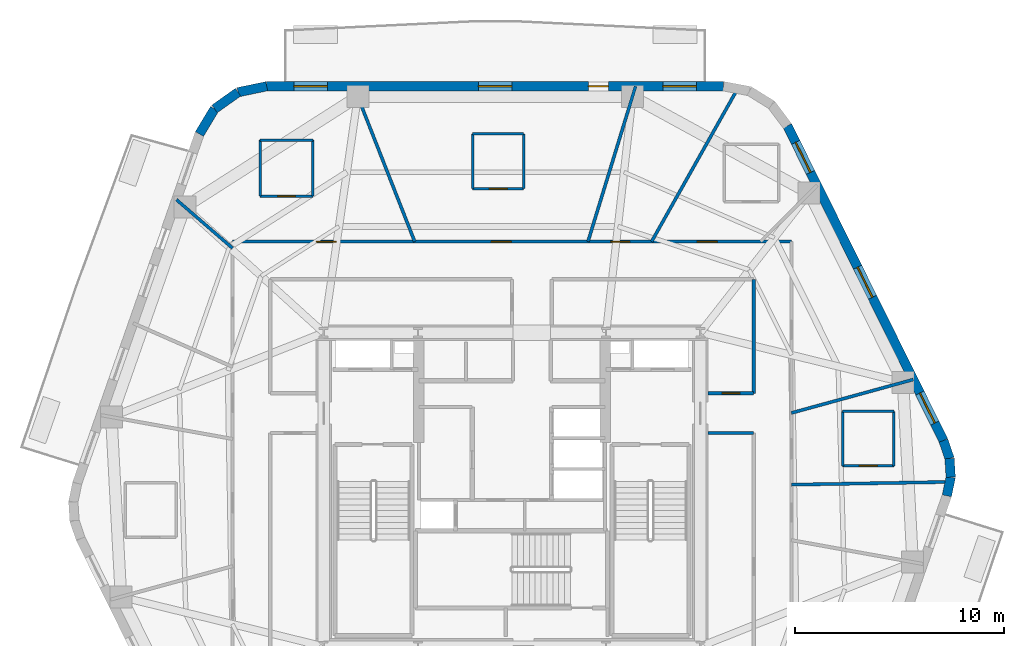
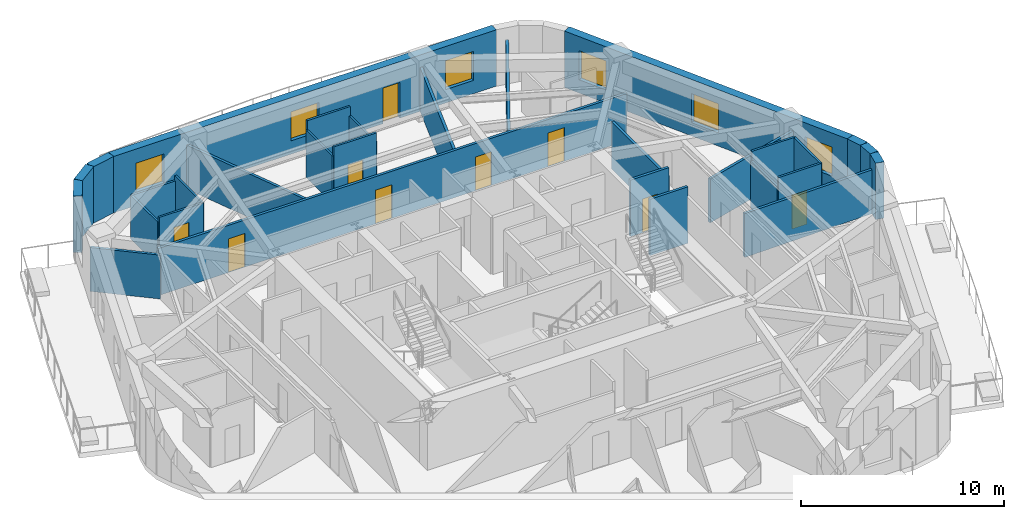
# One storey, part 6 of 11: 30 walls, 9 doors, 6 windows, 15 openings.
"""IFC4 building model written with IfcOpenShell, lengths in metres."""

from ifc_helpers import new_model, si_unit, direction, frame, frame_2d, origin, place, context, subcontext, project, spatial, rectangle, extrude, material, layer, layer_set, type_object, element, fill, save


model = new_model("IFC4")

# Units and contexts
model_context = context("Model", 3, precision=1e-05, world=origin(), true_north=direction((0.0, 1.0)))
body_context = subcontext(model_context, "Body", "Model", "MODEL_VIEW")
ifc_project = project(units=[si_unit("LENGTHUNIT", "METRE"), si_unit("AREAUNIT", "SQUARE_METRE"), si_unit("VOLUMEUNIT", "CUBIC_METRE"), si_unit("PLANEANGLEUNIT", "RADIAN"), si_unit("MASSUNIT", "GRAM", prefix="KILO")], contexts=[model_context])

# Site, building, storey
site_placement = place(None, origin())
site = spatial("IfcSite", under=ifc_project, at=site_placement, CompositionType="ELEMENT")
building_placement = place(site_placement, origin())
building = spatial("IfcBuilding", under=site, at=building_placement, Name="Kilnhurst Terrace Hotel", CompositionType="ELEMENT")
storey_placement = place(building_placement, frame((0.0, 0.0, 194.10009765625)))
storey = spatial("IfcBuildingStorey", under=building, at=storey_placement, Name="L48", CompositionType="ELEMENT", Elevation=194.10009765625)

# Walls
ifc_material_1 = material(Name="Precast concrete C40/50", Category="concrete")
ifc_layer_1 = layer(ifc_material_1, 0.449951171875, Name="Precast concrete C40/50")
ifc_layer_set_1 = layer_set([ifc_layer_1], Name="Precast concrete C40/50")
wall_type_1 = type_object("IfcWallType", Name="WL-BRK-450", PredefinedType="SOLIDWALL", material=ifc_layer_set_1)
wall_1_placement = place(storey_placement, frame((20.78173828125, -0.298095703125, 0.0), z_axis=(0.0, 0.0, 1.0), x_axis=(0.202570068411, 0.979267771033, 0.0)))
element("IfcWall", 1, at=wall_1_placement, inside=storey, type_object=wall_type_1, Name="L48 Rounded Corner Brick Wall C3.1", PredefinedType="SOLIDWALL", context=body_context, shape_type="SweptSolid", body=[
    extrude(rectangle(XDim=0.90869140625, YDim=0.449951171875, at=frame_2d((0.454345703125, 0.0))), origin(), (0.0, 0.0, 1.0), 3.39990234375),
])
wall_2_placement = place(storey_placement, frame((20.9658203125, 0.591796875, 0.0), z_axis=(0.0, 0.0, 1.0), x_axis=(-0.061748898935, 0.998091715966, 0.0)))
element("IfcWall", 2, at=wall_2_placement, inside=storey, type_object=wall_type_1, Name="L48 Rounded Corner Brick Wall C3.2", PredefinedType="SOLIDWALL", context=body_context, shape_type="SweptSolid", body=[
    extrude(rectangle(XDim=0.8935546875, YDim=0.449951171875, at=frame_2d((0.44677734375, 0.0))), origin(), (0.0, 0.0, 1.0), 3.39990234375),
])
wall_3_placement = place(storey_placement, frame((20.91064453125, 1.483642578125, 0.0), z_axis=(0.0, 0.0, 1.0), x_axis=(-0.321623334353, 0.946867694453, 0.0)))
element("IfcWall", 3, at=wall_3_placement, inside=storey, type_object=wall_type_1, Name="L48 Rounded Corner Brick Wall C3.3", PredefinedType="SOLIDWALL", context=body_context, shape_type="SweptSolid", body=[
    extrude(rectangle(XDim=0.90869140625, YDim=0.449951171875, at=frame_2d((0.454345703125, 0.0))), origin(), (0.0, 0.0, 1.0), 3.39990234375),
])
wall_4_placement = place(storey_placement, frame((-11.720458984375, 19.27490234375, 0.0), z_axis=(0.0, 0.0, 1.0), x_axis=(-0.97893106758, -0.204191001093, 0.0)))
element("IfcWall", 4, at=wall_4_placement, inside=storey, type_object=wall_type_1, Name="L48 Rounded Corner Brick Wall C5.1", PredefinedType="SOLIDWALL", context=body_context, shape_type="SweptSolid", body=[
    extrude(rectangle(XDim=1.400146484375, YDim=0.449951171875, at=frame_2d((0.7001953125, 0.0))), origin(), (0.0, 0.0, 1.0), 3.39990234375),
])
wall_5_placement = place(storey_placement, frame((-13.091064453125, 18.989013671875, 0.0), z_axis=(0.0, 0.0, 1.0), x_axis=(-0.815574637848, -0.578651890258, 0.0)))
element("IfcWall", 5, at=wall_5_placement, inside=storey, type_object=wall_type_1, Name="L48 Rounded Corner Brick Wall C5.2", PredefinedType="SOLIDWALL", context=body_context, shape_type="SweptSolid", body=[
    extrude(rectangle(XDim=1.376708984375, YDim=0.449951171875, at=frame_2d((0.6884765625, 0.0))), origin(), (0.0, 0.0, 1.0), 3.39990234375),
])
wall_6_placement = place(storey_placement, frame((-14.2138671875, 18.1923828125, 0.0), z_axis=(0.0, 0.0, 1.0), x_axis=(-0.516340945502, -0.856383108193, 0.0)))
element("IfcWall", 6, at=wall_6_placement, inside=storey, type_object=wall_type_1, Name="L48 Rounded Corner Brick Wall C5.3", PredefinedType="SOLIDWALL", context=body_context, shape_type="SweptSolid", body=[
    extrude(rectangle(XDim=1.400146484375, YDim=0.449951171875, at=frame_2d((0.7001953125, 0.0))), origin(), (0.0, 0.0, 1.0), 3.39990234375),
])

# Wall, openings, windows
wall_7_placement = place(storey_placement, frame((20.618408203125, 2.343994140625, 0.0), z_axis=(0.0, 0.0, 1.0), x_axis=(-0.444243691097, 0.895905990002, 0.0)))
wall_7 = element("IfcWall", 7, at=wall_7_placement, inside=storey, type_object=wall_type_1, Name="L48 Exterior Brick Facade Wall F3", PredefinedType="SOLIDWALL", context=body_context, shape_type="SweptSolid", body=[
    extrude(rectangle(XDim=16.78369140625, YDim=0.449951171875, at=frame_2d((8.391845703125, 0.0))), origin(), (0.0, 0.0, 1.0), 3.39990234375),
])
opening_1_placement = place(wall_7_placement, frame((0.930908203125, 0.0, 0.800048828125)))
opening_1 = element("IfcOpeningElement", 8, at=opening_1_placement, cuts=wall_7, Name="Opening W-05", PredefinedType="OPENING", context=body_context, shape_type="SweptSolid", body=[
    extrude(rectangle(XDim=1.60009765625, YDim=1.75, at=frame_2d((0.800048828125, 0.875))), frame((0.0, 0.23486328125, 0.0), z_axis=(0.0, -1.0, 0.0), x_axis=(1.0, 0.0, 0.0)), (0.0, 0.0, 1.0), 0.469970703125),
])
opening_2_placement = place(wall_7_placement, frame((7.64208984375, 0.0, 0.800048828125)))
opening_2 = element("IfcOpeningElement", 9, at=opening_2_placement, cuts=wall_7, Name="Opening W-05", PredefinedType="OPENING", context=body_context, shape_type="SweptSolid", body=[
    extrude(rectangle(XDim=1.60009765625, YDim=1.75, at=frame_2d((0.800048828125, 0.875))), frame((0.0, 0.23486328125, 0.0), z_axis=(0.0, -1.0, 0.0), x_axis=(1.0, 0.0, 0.0)), (0.0, 0.0, 1.0), 0.469970703125),
])
opening_3_placement = place(wall_7_placement, frame((14.302978515625, 0.0, 0.800048828125)))
opening_3 = element("IfcOpeningElement", 10, at=opening_3_placement, cuts=wall_7, Name="Opening W-05", PredefinedType="OPENING", context=body_context, shape_type="SweptSolid", body=[
    extrude(rectangle(XDim=1.60009765625, YDim=1.75, at=frame_2d((0.800048828125, 0.875))), frame((0.0, 0.23486328125, 0.0), z_axis=(0.0, -1.0, 0.0), x_axis=(1.0, 0.0, 0.0)), (0.0, 0.0, 1.0), 0.469970703125),
])
ifc_material_2 = material(Name="Thermally Broken Bronze Aluminium Alloy 6063-T6 and Low-E Glass", Category="aluminium")
window_type = type_object("IfcWindowType", Name="WIN-1600X1750", PartitioningType="SINGLE_PANEL", PredefinedType="WINDOW", material=ifc_material_2)
window_1_placement = place(opening_1_placement, origin())
window_1 = element("IfcWindow", 11, at=window_1_placement, inside=storey, type_object=window_type, Name="L48 Deep-Set Masonry Window F3.1", OverallHeight=1.75, OverallWidth=1.60009765625, PartitioningType="SINGLE_PANEL", PredefinedType="WINDOW", context=body_context, shape_type="SweptSolid", body=[
    extrude(rectangle(XDim=1.60009765625, YDim=1.75, at=frame_2d((0.800048828125, 0.875))), frame((0.0, 0.030029296875, 0.0), z_axis=(0.0, -1.0, 0.0), x_axis=(1.0, 0.0, 0.0)), (0.0, 0.0, 1.0), 0.06005859375),
])
fill(opening_1, window_1)
window_2_placement = place(opening_2_placement, origin())
window_2 = element("IfcWindow", 12, at=window_2_placement, inside=storey, type_object=window_type, Name="L48 Deep-Set Masonry Window F3.2", OverallHeight=1.75, OverallWidth=1.60009765625, PartitioningType="SINGLE_PANEL", PredefinedType="WINDOW", context=body_context, shape_type="SweptSolid", body=[
    extrude(rectangle(XDim=1.60009765625, YDim=1.75, at=frame_2d((0.800048828125, 0.875))), frame((0.0, 0.030029296875, 0.0), z_axis=(0.0, -1.0, 0.0), x_axis=(1.0, 0.0, 0.0)), (0.0, 0.0, 1.0), 0.06005859375),
])
fill(opening_2, window_2)
window_3_placement = place(opening_3_placement, origin())
window_3 = element("IfcWindow", 13, at=window_3_placement, inside=storey, type_object=window_type, Name="L48 Deep-Set Masonry Window F3.3", OverallHeight=1.75, OverallWidth=1.60009765625, PartitioningType="SINGLE_PANEL", PredefinedType="WINDOW", context=body_context, shape_type="SweptSolid", body=[
    extrude(rectangle(XDim=1.60009765625, YDim=1.75, at=frame_2d((0.800048828125, 0.875))), frame((0.0, 0.030029296875, 0.0), z_axis=(0.0, -1.0, 0.0), x_axis=(1.0, 0.0, 0.0)), (0.0, 0.0, 1.0), 0.06005859375),
])
fill(opening_3, window_3)

# Wall, openings, door, windows
wall_8_placement = place(storey_placement, frame((10.1083984375, 19.27490234375, 0.0), z_axis=(0.0, 0.0, 1.0), x_axis=(-1.0, 0.0, 0.0)))
wall_8 = element("IfcWall", 14, at=wall_8_placement, inside=storey, type_object=wall_type_1, Name="L48 Exterior Brick Facade Wall F4", PredefinedType="SOLIDWALL", context=body_context, shape_type="SweptSolid", body=[
    extrude(rectangle(XDim=21.828857421875, YDim=0.449951171875, at=frame_2d((10.91455078125, 0.0))), origin(), (0.0, 0.0, 1.0), 3.39990234375),
])
opening_4_placement = place(wall_8_placement, frame((5.5029296875, 0.0, 0.0)))
opening_4 = element("IfcOpeningElement", 15, at=opening_4_placement, cuts=wall_8, Name="Opening BD-950", PredefinedType="OPENING", context=body_context, shape_type="SweptSolid", body=[
    extrude(rectangle(XDim=0.949951171875, YDim=2.14990234375, at=frame_2d((0.47509765625, 1.074951171875))), frame((0.0, 0.23486328125, 0.0), z_axis=(0.0, -1.0, 0.0), x_axis=(1.0, 0.0, 0.0)), (0.0, 0.0, 1.0), 0.469970703125),
])
opening_5_placement = place(wall_8_placement, frame((1.297119140625, 0.0, 0.800048828125)))
opening_5 = element("IfcOpeningElement", 16, at=opening_5_placement, cuts=wall_8, Name="Opening W-05", PredefinedType="OPENING", context=body_context, shape_type="SweptSolid", body=[
    extrude(rectangle(XDim=1.60009765625, YDim=1.75, at=frame_2d((0.800048828125, 0.875))), frame((0.0, 0.23486328125, 0.0), z_axis=(0.0, -1.0, 0.0), x_axis=(1.0, 0.0, 0.0)), (0.0, 0.0, 1.0), 0.469970703125),
])
opening_6_placement = place(wall_8_placement, frame((10.114990234375, 0.0, 0.800048828125)))
opening_6 = element("IfcOpeningElement", 17, at=opening_6_placement, cuts=wall_8, Name="Opening W-05", PredefinedType="OPENING", context=body_context, shape_type="SweptSolid", body=[
    extrude(rectangle(XDim=1.60009765625, YDim=1.75, at=frame_2d((0.800048828125, 0.875))), frame((0.0, 0.23486328125, 0.0), z_axis=(0.0, -1.0, 0.0), x_axis=(1.0, 0.0, 0.0)), (0.0, 0.0, 1.0), 0.469970703125),
])
opening_7_placement = place(wall_8_placement, frame((18.93310546875, 0.0, 0.800048828125)))
opening_7 = element("IfcOpeningElement", 18, at=opening_7_placement, cuts=wall_8, Name="Opening W-05", PredefinedType="OPENING", context=body_context, shape_type="SweptSolid", body=[
    extrude(rectangle(XDim=1.60009765625, YDim=1.75, at=frame_2d((0.800048828125, 0.875))), frame((0.0, 0.23486328125, 0.0), z_axis=(0.0, -1.0, 0.0), x_axis=(1.0, 0.0, 0.0)), (0.0, 0.0, 1.0), 0.469970703125),
])
ifc_material_3 = material(Name="Thermally Broken Bronze Aluminium Alloy 6063-T6 and Laminated Glass", Category="aluminium")
door_type_1 = type_object("IfcDoorType", Name="DR-EXT-BAL-950", OperationType="NOTDEFINED", PredefinedType="DOOR", material=ifc_material_3)
door_1_placement = place(opening_4_placement, origin())
door_1 = element("IfcDoor", 19, at=door_1_placement, inside=storey, type_object=door_type_1, Name="L48 Planted Balcony Door BAL-L2A", OperationType="SINGLE_SWING_RIGHT", OverallHeight=2.14990234375, OverallWidth=0.949951171875, PredefinedType="DOOR", context=body_context, shape_type="SweptSolid", body=[
    extrude(rectangle(XDim=0.949951171875, YDim=2.14990234375, at=frame_2d((0.47509765625, 1.074951171875))), frame((0.0, 0.02490234375, 0.0), z_axis=(0.0, -1.0, 0.0), x_axis=(1.0, 0.0, 0.0)), (0.0, 0.0, 1.0), 0.050048828125),
])
fill(opening_4, door_1)
window_4_placement = place(opening_5_placement, origin())
window_4 = element("IfcWindow", 20, at=window_4_placement, inside=storey, type_object=window_type, Name="L48 Deep-Set Masonry Window F4.1", OverallHeight=1.75, OverallWidth=1.60009765625, PartitioningType="SINGLE_PANEL", PredefinedType="WINDOW", context=body_context, shape_type="SweptSolid", body=[
    extrude(rectangle(XDim=1.60009765625, YDim=1.75, at=frame_2d((0.800048828125, 0.875))), frame((0.0, 0.030029296875, 0.0), z_axis=(0.0, -1.0, 0.0), x_axis=(1.0, 0.0, 0.0)), (0.0, 0.0, 1.0), 0.06005859375),
])
fill(opening_5, window_4)
window_5_placement = place(opening_6_placement, origin())
window_5 = element("IfcWindow", 21, at=window_5_placement, inside=storey, type_object=window_type, Name="L48 Deep-Set Masonry Window F4.2", OverallHeight=1.75, OverallWidth=1.60009765625, PartitioningType="SINGLE_PANEL", PredefinedType="WINDOW", context=body_context, shape_type="SweptSolid", body=[
    extrude(rectangle(XDim=1.60009765625, YDim=1.75, at=frame_2d((0.800048828125, 0.875))), frame((0.0, 0.030029296875, 0.0), z_axis=(0.0, -1.0, 0.0), x_axis=(1.0, 0.0, 0.0)), (0.0, 0.0, 1.0), 0.06005859375),
])
fill(opening_6, window_5)
window_6_placement = place(opening_7_placement, origin())
window_6 = element("IfcWindow", 22, at=window_6_placement, inside=storey, type_object=window_type, Name="L48 Deep-Set Masonry Window F4.3", OverallHeight=1.75, OverallWidth=1.60009765625, PartitioningType="SINGLE_PANEL", PredefinedType="WINDOW", context=body_context, shape_type="SweptSolid", body=[
    extrude(rectangle(XDim=1.60009765625, YDim=1.75, at=frame_2d((0.800048828125, 0.875))), frame((0.0, 0.030029296875, 0.0), z_axis=(0.0, -1.0, 0.0), x_axis=(1.0, 0.0, 0.0)), (0.0, 0.0, 1.0), 0.06005859375),
])
fill(opening_7, window_6)

# Wall, openings, doors
ifc_material_4 = material(Name="Acoustic Double-Gypsum Corridor Partition Assembly")
ifc_layer_2 = layer(ifc_material_4, 0.14990234375, Name="Acoustic Double-Gypsum Corridor Partition Assembly")
ifc_layer_set_2 = layer_set([ifc_layer_2], Name="Acoustic Double-Gypsum Corridor Partition Assembly")
wall_type_2 = type_object("IfcWallType", Name="WL-COR-150", PredefinedType="PARTITIONING", material=ifc_layer_set_2)
wall_9_placement = place(storey_placement, frame((-13.35009765625, 11.85009765625, 0.0), z_axis=(0.0, 0.0, 1.0), x_axis=(1.0, 0.0, 0.0)))
wall_9 = element("IfcWall", 23, at=wall_9_placement, inside=storey, type_object=wall_type_2, Name="L48 Interior Wall WL-L48-COR-03", PredefinedType="PARTITIONING", context=body_context, shape_type="SweptSolid", body=[
    extrude(rectangle(XDim=26.7001953125, YDim=0.14990234375, at=frame_2d((13.35009765625, 0.0))), origin(), (0.0, 0.0, 1.0), 2.83984375),
])
opening_8_placement = place(wall_9_placement, frame((22.200927734375, 0.0, 0.0)))
opening_8 = element("IfcOpeningElement", 24, at=opening_8_placement, cuts=wall_9, Name="Opening D-60B", PredefinedType="OPENING", context=body_context, shape_type="SweptSolid", body=[
    extrude(rectangle(XDim=0.949951171875, YDim=2.030029296875, at=frame_2d((0.47509765625, 1.01513671875))), frame((0.0, 0.0849609375, 0.0), z_axis=(0.0, -1.0, 0.0), x_axis=(1.0, 0.0, 0.0)), (0.0, 0.0, 1.0), 0.169921875),
])
opening_9_placement = place(wall_9_placement, frame((18.069091796875, 0.0, 0.0)))
opening_9 = element("IfcOpeningElement", 25, at=opening_9_placement, cuts=wall_9, Name="Opening D-60C", PredefinedType="OPENING", context=body_context, shape_type="SweptSolid", body=[
    extrude(rectangle(XDim=0.89990234375, YDim=2.030029296875, at=frame_2d((0.449951171875, 1.01513671875))), frame((0.0, 0.0849609375, 0.0), z_axis=(0.0, -1.0, 0.0), x_axis=(1.0, 0.0, 0.0)), (0.0, 0.0, 1.0), 0.169921875),
])
opening_10_placement = place(wall_9_placement, frame((12.362060546875, 0.0, 0.0)))
opening_10 = element("IfcOpeningElement", 26, at=opening_10_placement, cuts=wall_9, Name="Opening D-60B", PredefinedType="OPENING", context=body_context, shape_type="SweptSolid", body=[
    extrude(rectangle(XDim=0.949951171875, YDim=2.030029296875, at=frame_2d((0.47509765625, 1.01513671875))), frame((0.0, 0.0849609375, 0.0), z_axis=(0.0, -1.0, 0.0), x_axis=(1.0, 0.0, 0.0)), (0.0, 0.0, 1.0), 0.169921875),
])
opening_11_placement = place(wall_9_placement, frame((3.9951171875, 0.0, 0.0)))
opening_11 = element("IfcOpeningElement", 27, at=opening_11_placement, cuts=wall_9, Name="Opening D-60B", PredefinedType="OPENING", context=body_context, shape_type="SweptSolid", body=[
    extrude(rectangle(XDim=0.949951171875, YDim=2.030029296875, at=frame_2d((0.47509765625, 1.01513671875))), frame((0.0, 0.0849609375, 0.0), z_axis=(0.0, -1.0, 0.0), x_axis=(1.0, 0.0, 0.0)), (0.0, 0.0, 1.0), 0.169921875),
])
ifc_material_5 = material(Name="Painted Solid-Core Service Fire Door")
door_type_2 = type_object("IfcDoorType", Name="DR-FD60-900", OperationType="NOTDEFINED", PredefinedType="DOOR", material=ifc_material_5)
door_2_placement = place(opening_9_placement, origin())
door_2 = element("IfcDoor", 28, at=door_2_placement, inside=storey, type_object=door_type_2, Name="L48 Executive Work Office Door 4", OperationType="SINGLE_SWING_RIGHT", OverallHeight=2.030029296875, OverallWidth=0.89990234375, PredefinedType="DOOR", context=body_context, shape_type="SweptSolid", body=[
    extrude(rectangle(XDim=0.89990234375, YDim=2.030029296875, at=frame_2d((0.449951171875, 1.01513671875))), frame((0.0, 0.02490234375, 0.0), z_axis=(0.0, -1.0, 0.0), x_axis=(1.0, 0.0, 0.0)), (0.0, 0.0, 1.0), 0.050048828125),
])
fill(opening_9, door_2)
ifc_material_6 = material(Name="Acoustic Walnut Veneer Solid-Core Fire Door")
door_type_3 = type_object("IfcDoorType", Name="DR-FD60-950", OperationType="NOTDEFINED", PredefinedType="DOOR", material=ifc_material_6)
door_3_placement = place(opening_8_placement, origin())
door_3 = element("IfcDoor", 29, at=door_3_placement, inside=storey, type_object=door_type_3, Name="L48 Guest Room Entry Door 3", OperationType="SINGLE_SWING_LEFT", OverallHeight=2.030029296875, OverallWidth=0.949951171875, PredefinedType="DOOR", context=body_context, shape_type="SweptSolid", body=[
    extrude(rectangle(XDim=0.949951171875, YDim=2.030029296875, at=frame_2d((0.47509765625, 1.01513671875))), frame((0.0, 0.02490234375, 0.0), z_axis=(0.0, -1.0, 0.0), x_axis=(1.0, 0.0, 0.0)), (0.0, 0.0, 1.0), 0.050048828125),
])
fill(opening_8, door_3)
door_4_placement = place(opening_10_placement, origin())
door_4 = element("IfcDoor", 30, at=door_4_placement, inside=storey, type_object=door_type_3, Name="L48 Executive Suite Entry Door 5", OperationType="SINGLE_SWING_LEFT", OverallHeight=2.030029296875, OverallWidth=0.949951171875, PredefinedType="DOOR", context=body_context, shape_type="SweptSolid", body=[
    extrude(rectangle(XDim=0.949951171875, YDim=2.030029296875, at=frame_2d((0.47509765625, 1.01513671875))), frame((0.0, 0.02490234375, 0.0), z_axis=(0.0, -1.0, 0.0), x_axis=(1.0, 0.0, 0.0)), (0.0, 0.0, 1.0), 0.050048828125),
])
fill(opening_10, door_4)
door_5_placement = place(opening_11_placement, origin())
door_5 = element("IfcDoor", 31, at=door_5_placement, inside=storey, type_object=door_type_3, Name="L48 Guest Room Entry Door 6", OperationType="SINGLE_SWING_RIGHT", OverallHeight=2.030029296875, OverallWidth=0.949951171875, PredefinedType="DOOR", context=body_context, shape_type="SweptSolid", body=[
    extrude(rectangle(XDim=0.949951171875, YDim=2.030029296875, at=frame_2d((0.47509765625, 1.01513671875))), frame((0.0, 0.02490234375, 0.0), z_axis=(0.0, -1.0, 0.0), x_axis=(1.0, 0.0, 0.0)), (0.0, 0.0, 1.0), 0.050048828125),
])
fill(opening_11, door_5)

# Wall
wall_10_placement = place(storey_placement, frame((11.550048828125, 2.699951171875, 0.0), z_axis=(0.0, 0.0, 1.0), x_axis=(-1.0, 0.0, 0.0)))
element("IfcWall", 32, at=wall_10_placement, inside=storey, type_object=wall_type_2, Name="L48 Interior Wall WL-L48-COR-06", PredefinedType="PARTITIONING", context=body_context, shape_type="SweptSolid", body=[
    extrude(rectangle(XDim=2.175048828125, YDim=0.14990234375, at=frame_2d((1.08740234375, 0.0))), origin(), (0.0, 0.0, 1.0), 3.39990234375),
])

# Wall, opening, door
wall_11_placement = place(storey_placement, frame((9.375, 4.60009765625, 0.0), z_axis=(0.0, 0.0, 1.0), x_axis=(1.0, 0.0, 0.0)))
wall_11 = element("IfcWall", 33, at=wall_11_placement, inside=storey, type_object=wall_type_2, Name="L48 Interior Wall WL-L48-COR-07", PredefinedType="PARTITIONING", context=body_context, shape_type="SweptSolid", body=[
    extrude(rectangle(XDim=2.175048828125, YDim=0.14990234375, at=frame_2d((1.08740234375, 0.0))), origin(), (0.0, 0.0, 1.0), 3.39990234375),
])
opening_12_placement = place(wall_11_placement, frame((0.6630859375, 0.0, 0.0)))
opening_12 = element("IfcOpeningElement", 34, at=opening_12_placement, cuts=wall_11, Name="Opening D-60D", PredefinedType="OPENING", context=body_context, shape_type="SweptSolid", body=[
    extrude(rectangle(XDim=0.85009765625, YDim=2.030029296875, at=frame_2d((0.425048828125, 1.01513671875))), frame((0.0, 0.0849609375, 0.0), z_axis=(0.0, -1.0, 0.0), x_axis=(1.0, 0.0, 0.0)), (0.0, 0.0, 1.0), 0.169921875),
])
ifc_material_7 = material(Name="Painted Hollow Metal Steel ASTM A36 Riser Door", Category="steel")
door_type_4 = type_object("IfcDoorType", Name="DR-FD60-850", OperationType="NOTDEFINED", PredefinedType="DOOR", material=ifc_material_7)
door_6_placement = place(opening_12_placement, origin())
door_6 = element("IfcDoor", 35, at=door_6_placement, inside=storey, type_object=door_type_4, Name="L48 Floor Beverage Service Room Door", OperationType="SINGLE_SWING_LEFT", OverallHeight=2.030029296875, OverallWidth=0.85009765625, PredefinedType="DOOR", context=body_context, shape_type="SweptSolid", body=[
    extrude(rectangle(XDim=0.85009765625, YDim=2.030029296875, at=frame_2d((0.425048828125, 1.01513671875))), frame((0.0, 0.02490234375, 0.0), z_axis=(0.0, -1.0, 0.0), x_axis=(1.0, 0.0, 0.0)), (0.0, 0.0, 1.0), 0.050048828125),
])
fill(opening_12, door_6)

# Walls
wall_12_placement = place(storey_placement, frame((11.550048828125, 4.60009765625, 0.0), z_axis=(0.0, 0.0, 1.0), x_axis=(0.0, 1.0, 0.0)))
element("IfcWall", 36, at=wall_12_placement, inside=storey, type_object=wall_type_2, Name="L48 Interior Wall WL-L48-COR-08", PredefinedType="PARTITIONING", context=body_context, shape_type="SweptSolid", body=[
    extrude(rectangle(XDim=5.449951171875, YDim=0.14990234375, at=frame_2d((2.72509765625, 0.0))), origin(), (0.0, 0.0, 1.0), 2.83984375),
])
ifc_material_8 = material(Name="STC-58 Acoustic Twin-Frame Guestroom Demising Partition")
ifc_layer_3 = layer(ifc_material_8, 0.14990234375, Name="STC-58 Acoustic Twin-Frame Guestroom Demising Partition")
ifc_layer_set_3 = layer_set([ifc_layer_3], Name="STC-58 Acoustic Twin-Frame Guestroom Demising Partition")
wall_type_3 = type_object("IfcWallType", Name="WL-DEM-150", PredefinedType="PARTITIONING", material=ifc_layer_set_3)
wall_13_placement = place(storey_placement, frame((13.35009765625, 0.23291015625, 0.0), z_axis=(0.0, 0.0, 1.0), x_axis=(0.999847932133, 0.017438824797, 0.0)))
element("IfcWall", 37, at=wall_13_placement, inside=storey, type_object=wall_type_3, Name="L48 Interior Wall WL-L48-DEM-MID12-01-1", PredefinedType="PARTITIONING", context=body_context, shape_type="SweptSolid", body=[
    extrude(rectangle(XDim=7.406005859375, YDim=0.14990234375, at=frame_2d((3.703125, 0.0))), origin(), (0.0, 0.0, 1.0), 2.639892578125),
])
wall_14_placement = place(storey_placement, frame((13.35009765625, 3.66064453125, 0.0), z_axis=(0.0, 0.0, 1.0), x_axis=(0.964397145454, 0.264458211898, 0.0)))
element("IfcWall", 38, at=wall_14_placement, inside=storey, type_object=wall_type_3, Name="L48 Interior Wall WL-L48-DEM-COL01-02-1", PredefinedType="PARTITIONING", context=body_context, shape_type="SweptSolid", body=[
    extrude(rectangle(XDim=6.03857421875, YDim=0.14990234375, at=frame_2d((3.019287109375, 0.0))), origin(), (0.0, 0.0, 1.0), 2.639892578125),
])
wall_15_placement = place(storey_placement, frame((6.670166015625, 11.85009765625, 0.0), z_axis=(0.0, 0.0, 1.0), x_axis=(0.490522493943, 0.871428530022, 0.0)))
element("IfcWall", 39, at=wall_15_placement, inside=storey, type_object=wall_type_3, Name="L48 Interior Wall WL-L48-DEM-MID02-04-1", PredefinedType="PARTITIONING", context=body_context, shape_type="SweptSolid", body=[
    extrude(rectangle(XDim=8.207275390625, YDim=0.14990234375, at=frame_2d((4.103515625, 0.0))), origin(), (0.0, 0.0, 1.0), 2.639892578125),
])
wall_16_placement = place(storey_placement, frame((3.63134765625, 11.85009765625, 0.0), z_axis=(0.0, 0.0, 1.0), x_axis=(0.293007573338, 0.956110120209, 0.0)))
element("IfcWall", 40, at=wall_16_placement, inside=storey, type_object=wall_type_3, Name="L48 Interior Wall WL-L48-DEM-COL03-05-1", PredefinedType="PARTITIONING", context=body_context, shape_type="SweptSolid", body=[
    extrude(rectangle(XDim=7.765625, YDim=0.14990234375, at=frame_2d((3.8828125, 0.0))), origin(), (0.0, 0.0, 1.0), 2.639892578125),
])
wall_17_placement = place(storey_placement, frame((-4.64990234375, 11.85009765625, 0.0), z_axis=(0.0, 0.0, 1.0), x_axis=(-0.365265947993, 0.930903210456, 0.0)))
element("IfcWall", 41, at=wall_17_placement, inside=storey, type_object=wall_type_3, Name="L48 Interior Wall WL-L48-DEM-COL04-06-1", PredefinedType="PARTITIONING", context=body_context, shape_type="SweptSolid", body=[
    extrude(rectangle(XDim=7.975830078125, YDim=0.14990234375, at=frame_2d((3.98779296875, 0.0))), origin(), (0.0, 0.0, 1.0), 2.639892578125),
])
wall_18_placement = place(storey_placement, frame((-13.35009765625, 11.53271484375, 0.0), z_axis=(0.0, 0.0, 1.0), x_axis=(-0.756711647314, 0.65374879183, 0.0)))
element("IfcWall", 42, at=wall_18_placement, inside=storey, type_object=wall_type_3, Name="L48 Interior Wall WL-L48-DEM-COL05-07-1", PredefinedType="PARTITIONING", context=body_context, shape_type="SweptSolid", body=[
    extrude(rectangle(XDim=3.549560546875, YDim=0.14990234375, at=frame_2d((1.77490234375, 0.0))), origin(), (0.0, 0.0, 1.0), 2.639892578125),
])

# Wall, opening, door
ifc_material_9 = material(Name="120 mm Moisture-Resistant Tile-Backed Bathroom Partition")
ifc_layer_4 = layer(ifc_material_9, 0.1201171875, Name="120 mm Moisture-Resistant Tile-Backed Bathroom Partition")
ifc_layer_set_4 = layer_set([ifc_layer_4], Name="120 mm Moisture-Resistant Tile-Backed Bathroom Partition")
wall_type_4 = type_object("IfcWallType", Name="WL-PART-120", PredefinedType="PARTITIONING", material=ifc_layer_set_4)
wall_19_placement = place(storey_placement, frame((15.805908203125, 1.12890625, 0.0), z_axis=(0.0, 0.0, 1.0), x_axis=(1.0, 0.0, 0.0)))
wall_19 = element("IfcWall", 43, at=wall_19_placement, inside=storey, type_object=wall_type_4, Name="L48 Interior Wall WL-L48-BTH-01-1", PredefinedType="PARTITIONING", context=body_context, shape_type="SweptSolid", body=[
    extrude(rectangle(XDim=2.440185546875, YDim=0.1201171875, at=frame_2d((1.22021484375, 0.0))), origin(), (0.0, 0.0, 1.0), 3.39990234375),
])
opening_13_placement = place(wall_19_placement, frame((0.794921875, 0.0, 0.0)))
opening_13 = element("IfcOpeningElement", 44, at=opening_13_placement, cuts=wall_19, Name="Opening D-08A", PredefinedType="OPENING", context=body_context, shape_type="SweptSolid", body=[
    extrude(rectangle(XDim=0.85009765625, YDim=2.030029296875, at=frame_2d((0.425048828125, 1.01513671875))), frame((0.0, 0.070068359375, 0.0), z_axis=(0.0, -1.0, 0.0), x_axis=(1.0, 0.0, 0.0)), (0.0, 0.0, 1.0), 0.14013671875),
])
ifc_material_10 = material(Name="Moisture-Resistant Lacquered En-suite Bathroom Door")
door_type_5 = type_object("IfcDoorType", Name="DR-INT-850", OperationType="NOTDEFINED", PredefinedType="DOOR", material=ifc_material_10)
door_7_placement = place(opening_13_placement, origin())
door_7 = element("IfcDoor", 45, at=door_7_placement, inside=storey, type_object=door_type_5, Name="L48 En-suite Bathroom Door 1", OperationType="SINGLE_SWING_RIGHT", OverallHeight=2.030029296875, OverallWidth=0.85009765625, PredefinedType="DOOR", context=body_context, shape_type="SweptSolid", body=[
    extrude(rectangle(XDim=0.85009765625, YDim=2.030029296875, at=frame_2d((0.425048828125, 1.01513671875))), frame((0.0, 0.02490234375, 0.0), z_axis=(0.0, -1.0, 0.0), x_axis=(1.0, 0.0, 0.0)), (0.0, 0.0, 1.0), 0.050048828125),
])
fill(opening_13, door_7)

# Walls
wall_20_placement = place(storey_placement, frame((18.24609375, 1.12890625, 0.0), z_axis=(0.0, 0.0, 1.0), x_axis=(0.0, 1.0, 0.0)))
element("IfcWall", 46, at=wall_20_placement, inside=storey, type_object=wall_type_4, Name="L48 Interior Wall WL-L48-BTH-01-2", PredefinedType="PARTITIONING", context=body_context, shape_type="SweptSolid", body=[
    extrude(rectangle(XDim=2.610107421875, YDim=0.1201171875, at=frame_2d((1.30517578125, 0.0))), origin(), (0.0, 0.0, 1.0), 3.39990234375),
])
wall_21_placement = place(storey_placement, frame((18.24609375, 3.739013671875, 0.0), z_axis=(0.0, 0.0, 1.0), x_axis=(-1.0, 0.0, 0.0)))
element("IfcWall", 47, at=wall_21_placement, inside=storey, type_object=wall_type_4, Name="L48 Interior Wall WL-L48-BTH-01-3", PredefinedType="PARTITIONING", context=body_context, shape_type="SweptSolid", body=[
    extrude(rectangle(XDim=2.440185546875, YDim=0.1201171875, at=frame_2d((1.22021484375, 0.0))), origin(), (0.0, 0.0, 1.0), 3.39990234375),
])
wall_22_placement = place(storey_placement, frame((15.805908203125, 3.739013671875, 0.0), z_axis=(0.0, 0.0, 1.0), x_axis=(0.0, -1.0, 0.0)))
element("IfcWall", 48, at=wall_22_placement, inside=storey, type_object=wall_type_4, Name="L48 Interior Wall WL-L48-BTH-01-4", PredefinedType="PARTITIONING", context=body_context, shape_type="SweptSolid", body=[
    extrude(rectangle(XDim=2.610107421875, YDim=0.1201171875, at=frame_2d((1.30517578125, 0.0))), origin(), (0.0, 0.0, 1.0), 2.84033203125),
])

# Wall, opening, door
wall_23_placement = place(storey_placement, frame((-1.87890625, 14.383056640625, 0.0), z_axis=(0.0, 0.0, 1.0), x_axis=(1.0, 0.0, 0.0)))
wall_23 = element("IfcWall", 49, at=wall_23_placement, inside=storey, type_object=wall_type_4, Name="L48 Interior Wall WL-L48-BTH-05-1", PredefinedType="PARTITIONING", context=body_context, shape_type="SweptSolid", body=[
    extrude(rectangle(XDim=2.43994140625, YDim=0.1201171875, at=frame_2d((1.219970703125, 0.0))), origin(), (0.0, 0.0, 1.0), 3.39990234375),
])
opening_14_placement = place(wall_23_placement, frame((0.794921875, 0.0, 0.0)))
opening_14 = element("IfcOpeningElement", 50, at=opening_14_placement, cuts=wall_23, Name="Opening D-08A", PredefinedType="OPENING", context=body_context, shape_type="SweptSolid", body=[
    extrude(rectangle(XDim=0.85009765625, YDim=2.030029296875, at=frame_2d((0.425048828125, 1.01513671875))), frame((0.0, 0.070068359375, 0.0), z_axis=(0.0, -1.0, 0.0), x_axis=(1.0, 0.0, 0.0)), (0.0, 0.0, 1.0), 0.14013671875),
])
door_8_placement = place(opening_14_placement, origin())
door_8 = element("IfcDoor", 51, at=door_8_placement, inside=storey, type_object=door_type_5, Name="L48 En-suite Bathroom Door 5", OperationType="SINGLE_SWING_RIGHT", OverallHeight=2.030029296875, OverallWidth=0.85009765625, PredefinedType="DOOR", context=body_context, shape_type="SweptSolid", body=[
    extrude(rectangle(XDim=0.85009765625, YDim=2.030029296875, at=frame_2d((0.425048828125, 1.01513671875))), frame((0.0, 0.02490234375, 0.0), z_axis=(0.0, -1.0, 0.0), x_axis=(1.0, 0.0, 0.0)), (0.0, 0.0, 1.0), 0.050048828125),
])
fill(opening_14, door_8)

# Walls
wall_24_placement = place(storey_placement, frame((0.56103515625, 14.383056640625, 0.0), z_axis=(0.0, 0.0, 1.0), x_axis=(0.0, 1.0, 0.0)))
element("IfcWall", 52, at=wall_24_placement, inside=storey, type_object=wall_type_4, Name="L48 Interior Wall WL-L48-BTH-05-2", PredefinedType="PARTITIONING", context=body_context, shape_type="SweptSolid", body=[
    extrude(rectangle(XDim=2.60986328125, YDim=0.1201171875, at=frame_2d((1.304931640625, 0.0))), origin(), (0.0, 0.0, 1.0), 2.84033203125),
])
wall_25_placement = place(storey_placement, frame((0.56103515625, 16.992919921875, 0.0), z_axis=(0.0, 0.0, 1.0), x_axis=(-1.0, 0.0, 0.0)))
element("IfcWall", 53, at=wall_25_placement, inside=storey, type_object=wall_type_4, Name="L48 Interior Wall WL-L48-BTH-05-3", PredefinedType="PARTITIONING", context=body_context, shape_type="SweptSolid", body=[
    extrude(rectangle(XDim=2.43994140625, YDim=0.1201171875, at=frame_2d((1.219970703125, 0.0))), origin(), (0.0, 0.0, 1.0), 3.39990234375),
])
wall_26_placement = place(storey_placement, frame((-1.87890625, 16.992919921875, 0.0), z_axis=(0.0, 0.0, 1.0), x_axis=(0.0, -1.0, 0.0)))
element("IfcWall", 54, at=wall_26_placement, inside=storey, type_object=wall_type_4, Name="L48 Interior Wall WL-L48-BTH-05-4", PredefinedType="PARTITIONING", context=body_context, shape_type="SweptSolid", body=[
    extrude(rectangle(XDim=2.60986328125, YDim=0.1201171875, at=frame_2d((1.304931640625, 0.0))), origin(), (0.0, 0.0, 1.0), 2.84033203125),
])

# Wall, opening, door
wall_27_placement = place(storey_placement, frame((-12.035888671875, 14.02197265625, 0.0), z_axis=(0.0, 0.0, 1.0), x_axis=(1.0, 0.0, 0.0)))
wall_27 = element("IfcWall", 55, at=wall_27_placement, inside=storey, type_object=wall_type_4, Name="L48 Interior Wall WL-L48-BTH-06-1", PredefinedType="PARTITIONING", context=body_context, shape_type="SweptSolid", body=[
    extrude(rectangle(XDim=2.519775390625, YDim=0.1201171875, at=frame_2d((1.259765625, 0.0))), origin(), (0.0, 0.0, 1.0), 2.926513671875),
])
opening_15_placement = place(wall_27_placement, frame((0.8349609375, 0.0, 0.0)))
opening_15 = element("IfcOpeningElement", 56, at=opening_15_placement, cuts=wall_27, Name="Opening D-08A", PredefinedType="OPENING", context=body_context, shape_type="SweptSolid", body=[
    extrude(rectangle(XDim=0.85009765625, YDim=2.030029296875, at=frame_2d((0.425048828125, 1.01513671875))), frame((0.0, 0.070068359375, 0.0), z_axis=(0.0, -1.0, 0.0), x_axis=(1.0, 0.0, 0.0)), (0.0, 0.0, 1.0), 0.14013671875),
])
door_9_placement = place(opening_15_placement, origin())
door_9 = element("IfcDoor", 57, at=door_9_placement, inside=storey, type_object=door_type_5, Name="L48 En-suite Bathroom Door 6", OperationType="SINGLE_SWING_LEFT", OverallHeight=2.030029296875, OverallWidth=0.85009765625, PredefinedType="DOOR", context=body_context, shape_type="SweptSolid", body=[
    extrude(rectangle(XDim=0.85009765625, YDim=2.030029296875, at=frame_2d((0.425048828125, 1.01513671875))), frame((0.0, 0.02490234375, 0.0), z_axis=(0.0, -1.0, 0.0), x_axis=(1.0, 0.0, 0.0)), (0.0, 0.0, 1.0), 0.050048828125),
])
fill(opening_15, door_9)

# Walls
wall_28_placement = place(storey_placement, frame((-9.51611328125, 14.02197265625, 0.0), z_axis=(0.0, 0.0, 1.0), x_axis=(0.0, 1.0, 0.0)))
element("IfcWall", 58, at=wall_28_placement, inside=storey, type_object=wall_type_4, Name="L48 Interior Wall WL-L48-BTH-06-2", PredefinedType="PARTITIONING", context=body_context, shape_type="SweptSolid", body=[
    extrude(rectangle(XDim=2.679931640625, YDim=0.1201171875, at=frame_2d((1.33984375, 0.0))), origin(), (0.0, 0.0, 1.0), 2.926513671875),
])
wall_29_placement = place(storey_placement, frame((-9.51611328125, 16.701904296875, 0.0), z_axis=(0.0, 0.0, 1.0), x_axis=(-1.0, 0.0, 0.0)))
element("IfcWall", 59, at=wall_29_placement, inside=storey, type_object=wall_type_4, Name="L48 Interior Wall WL-L48-BTH-06-3", PredefinedType="PARTITIONING", context=body_context, shape_type="SweptSolid", body=[
    extrude(rectangle(XDim=2.519775390625, YDim=0.1201171875, at=frame_2d((1.259765625, 0.0))), origin(), (0.0, 0.0, 1.0), 2.639892578125),
])
wall_30_placement = place(storey_placement, frame((-12.035888671875, 16.701904296875, 0.0), z_axis=(0.0, 0.0, 1.0), x_axis=(0.0, -1.0, 0.0)))
element("IfcWall", 60, at=wall_30_placement, inside=storey, type_object=wall_type_4, Name="L48 Interior Wall WL-L48-BTH-06-4", PredefinedType="PARTITIONING", context=body_context, shape_type="SweptSolid", body=[
    extrude(rectangle(XDim=2.679931640625, YDim=0.1201171875, at=frame_2d((1.33984375, 0.0))), origin(), (0.0, 0.0, 1.0), 2.639892578125),
])

save(model, "model.ifc")
